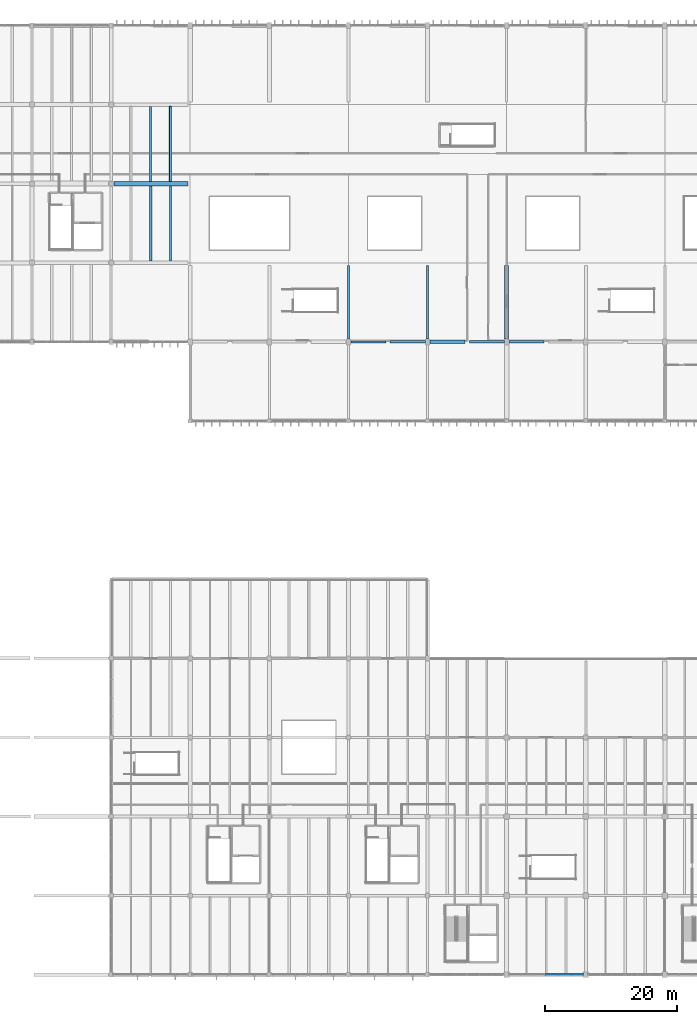
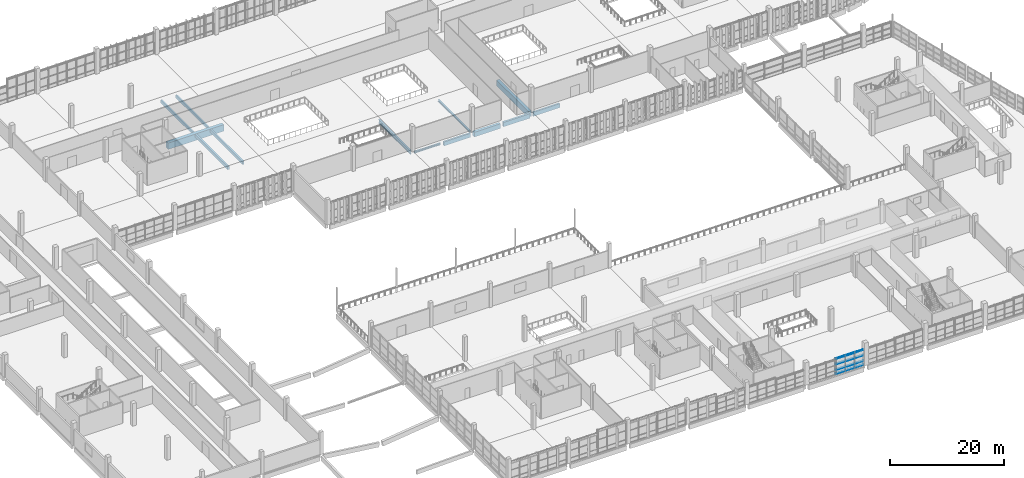
# One storey, part 32 of 112: 13 beams, 4 members, 1 element without a shape of its own.
"""IFC4 building model written with IfcOpenShell, lengths in metres."""

from ifc_helpers import new_model, si_unit, direction, frame, origin, origin_2d, place, context, subcontext, project, spatial, rectangle, i_section, extrude, material, material_profile, profile_set, type_object, element, aggregate, save


model = new_model("IFC4")

# Units and contexts
model_context = context("Model", 3, precision=1e-05, world=origin(), true_north=direction((0.0, 1.0)))
body_context = subcontext(model_context, "Body", "Model", "MODEL_VIEW")
ifc_project = project(units=[si_unit("LENGTHUNIT", "METRE"), si_unit("AREAUNIT", "SQUARE_METRE"), si_unit("VOLUMEUNIT", "CUBIC_METRE"), si_unit("PLANEANGLEUNIT", "RADIAN"), si_unit("MASSUNIT", "GRAM", prefix="KILO")], contexts=[model_context])

# Site, building, storey
site_placement = place(None, origin())
site = spatial("IfcSite", under=ifc_project, at=site_placement, CompositionType="ELEMENT")
building_placement = place(site_placement, origin())
building = spatial("IfcBuilding", under=site, at=building_placement, Name="Kamomehara Wholesale Market", CompositionType="ELEMENT")
storey_placement = place(building_placement, frame((0.0, 0.0, 6.60009765625)))
storey = spatial("IfcBuildingStorey", under=building, at=storey_placement, Name="L01", CompositionType="ELEMENT", Elevation=6.60009765625)

# Beams
ifc_material_1 = material(Name="Precast concrete Fc45 (C40/50)", Category="concrete")
ifc_material_profile_1 = material_profile(ifc_material_1, rectangle(XDim=0.60009765625, YDim=1.199951171875, at=origin_2d()), Name="PC-GRD-600x1200")
ifc_profile_set_1 = profile_set([ifc_material_profile_1], Name="Precast concrete Fc45 (C40/50)")
beam_type_1 = type_object("IfcBeamType", Name="BM-PG1200", PredefinedType="T_BEAM", material=ifc_profile_set_1)
beam_1_placement = place(storey_placement, frame((120.0, 108.47509765625, -0.9521484375), z_axis=(0.0, 1.0, 0.0), x_axis=(-1.0, 0.0, 0.0)))
element("IfcBeam", 1, at=beam_1_placement, inside=storey, type_object=beam_type_1, Name="Beam PG-05 L01", PredefinedType="T_BEAM", context=body_context, shape_type="SweptSolid", body=[
    extrude(rectangle(XDim=0.60009765625, YDim=1.199951171875, at=origin_2d()), origin(), (0.0, 0.0, 1.0), 11.14990234375),
])
ifc_material_2 = material(Name="Precast concrete Fc45 (C40/50)", Category="concrete")
ifc_material_profile_2 = material_profile(ifc_material_2, rectangle(XDim=0.679931640625, YDim=1.3798828125, at=origin_2d()), Name="PC-GRD-680x1380")
ifc_profile_set_2 = profile_set([ifc_material_profile_2], Name="Precast concrete Fc45 (C40/50)")
beam_type_2 = type_object("IfcBeamType", Name="BM-PG1380", PredefinedType="T_BEAM", material=ifc_profile_set_2)
beam_2_placement = place(storey_placement, frame((60.409912109375, 132.0, -1.0419921875), z_axis=(1.0, 0.0, 0.0), x_axis=(0.0, 1.0, 0.0)))
element("IfcBeam", 2, at=beam_2_placement, inside=storey, type_object=beam_type_2, Name="Beam PG-12 L01", PredefinedType="T_BEAM", context=body_context, shape_type="SweptSolid", body=[
    extrude(rectangle(XDim=0.679931640625, YDim=1.3798828125, at=origin_2d()), origin(), (0.0, 0.0, 1.0), 11.215087890625),
])
ifc_material_3 = material(Name="Precast concrete Fc45 (C40/50)", Category="concrete")
ifc_material_profile_3 = material_profile(ifc_material_3, rectangle(XDim=0.300048828125, YDim=0.550048828125, at=origin_2d()), Name="PC-JST-300x550")
ifc_profile_set_3 = profile_set([ifc_material_profile_3], Name="Precast concrete Fc45 (C40/50)")
beam_type_3 = type_object("IfcBeamType", Name="BM-PJ550", PredefinedType="JOIST", material=ifc_profile_set_3)
beam_3_placement = place(storey_placement, frame((69.0, 132.340087890625, -0.627197265625), z_axis=(0.0, 1.0, 0.0), x_axis=(-1.0, 0.0, 0.0)))
element("IfcBeam", 3, at=beam_3_placement, inside=storey, type_object=beam_type_3, Name="Beam PJ-06 L01", PredefinedType="JOIST", context=body_context, shape_type="SweptSolid", body=[
    extrude(rectangle(XDim=0.300048828125, YDim=0.550048828125, at=origin_2d()), origin(), (0.0, 0.0, 1.0), 11.385009765625),
])
ifc_material_4 = material(Name="Precast concrete Fc45 (C40/50)", Category="concrete")
ifc_material_profile_4 = material_profile(ifc_material_4, rectangle(XDim=0.320068359375, YDim=0.60009765625, at=origin_2d()), Name="PC-JST-320x600")
ifc_profile_set_4 = profile_set([ifc_material_profile_4], Name="Precast concrete Fc45 (C40/50)")
beam_type_4 = type_object("IfcBeamType", Name="BM-PJ600", PredefinedType="JOIST", material=ifc_profile_set_4)
beam_4_placement = place(storey_placement, frame((66.0, 132.340087890625, -0.652099609375), z_axis=(0.0, 1.0, 0.0), x_axis=(-1.0, 0.0, 0.0)))
element("IfcBeam", 4, at=beam_4_placement, inside=storey, type_object=beam_type_4, Name="Beam PJ-05 L01", PredefinedType="JOIST", context=body_context, shape_type="SweptSolid", body=[
    extrude(rectangle(XDim=0.320068359375, YDim=0.60009765625, at=origin_2d()), origin(), (0.0, 0.0, 1.0), 11.385009765625),
])
ifc_material_5 = material(Name="Precast concrete Fc45 (C40/50)", Category="concrete")
ifc_material_profile_5 = material_profile(ifc_material_5, rectangle(XDim=0.35009765625, YDim=0.64990234375, at=origin_2d()), Name="PC-JST-350x650")
ifc_profile_set_5 = profile_set([ifc_material_profile_5], Name="Precast concrete Fc45 (C40/50)")
beam_type_5 = type_object("IfcBeamType", Name="BM-PJ650", PredefinedType="JOIST", material=ifc_profile_set_5)
beam_5_placement = place(storey_placement, frame((69.0, 120.260009765625, -0.677001953125), z_axis=(0.0, 1.0, 0.0), x_axis=(-1.0, 0.0, 0.0)))
element("IfcBeam", 5, at=beam_5_placement, inside=storey, type_object=beam_type_5, Name="Beam PJ-04 L01", PredefinedType="JOIST", context=body_context, shape_type="SweptSolid", body=[
    extrude(rectangle(XDim=0.35009765625, YDim=0.64990234375, at=origin_2d()), origin(), (0.0, 0.0, 1.0), 11.39990234375),
])
ifc_material_6 = material(Name="Precast concrete Fc45 (C40/50)", Category="concrete")
ifc_material_profile_6 = material_profile(ifc_material_6, rectangle(XDim=0.340087890625, YDim=0.679931640625, at=origin_2d()), Name="PC-JST-340x680")
ifc_profile_set_6 = profile_set([ifc_material_profile_6], Name="Precast concrete Fc45 (C40/50)")
beam_type_6 = type_object("IfcBeamType", Name="BM-PJ680", PredefinedType="JOIST", material=ifc_profile_set_6)
beam_6_placement = place(storey_placement, frame((66.0, 120.260009765625, -0.692138671875), z_axis=(0.0, 1.0, 0.0), x_axis=(-1.0, 0.0, 0.0)))
element("IfcBeam", 6, at=beam_6_placement, inside=storey, type_object=beam_type_6, Name="Beam PJ-09 L01", PredefinedType="JOIST", context=body_context, shape_type="SweptSolid", body=[
    extrude(rectangle(XDim=0.340087890625, YDim=0.679931640625, at=origin_2d()), origin(), (0.0, 0.0, 1.0), 11.39990234375),
])
ifc_material_7 = material(Name="Concrete Fc36 (C35/45)", Category="concrete")
ifc_material_profile_7 = material_profile(ifc_material_7, rectangle(XDim=0.550048828125, YDim=1.0, at=origin_2d()), Name="RC-SEB-550x1000")
ifc_profile_set_7 = profile_set([ifc_material_profile_7], Name="Concrete Fc36 (C35/45)")
beam_type_7 = type_object("IfcBeamType", Name="BM-SEB1000-EXT", PredefinedType="SPANDREL", material=ifc_profile_set_7)
beam_7_placement = place(storey_placement, frame((108.35009765625, 108.0, -0.85205078125), z_axis=(1.0, 0.0, 0.0), x_axis=(0.0, 1.0, 0.0)))
element("IfcBeam", 7, at=beam_7_placement, inside=storey, type_object=beam_type_7, Name="Beam SEB-03E L01", PredefinedType="SPANDREL", context=body_context, shape_type="SweptSolid", body=[
    extrude(rectangle(XDim=0.550048828125, YDim=1.0, at=origin_2d()), origin(), (0.0, 0.0, 1.0), 5.324951171875),
])
ifc_material_8 = material(Name="Precast concrete Fc45 (C40/50)", Category="concrete")
ifc_material_profile_8 = material_profile(ifc_material_8, rectangle(XDim=0.35009765625, YDim=0.85009765625, at=origin_2d()), Name="PC-SPN-350x850")
ifc_profile_set_8 = profile_set([ifc_material_profile_8], Name="Precast concrete Fc45 (C40/50)")
beam_type_8 = type_object("IfcBeamType", Name="BM-SPN850-EXT", PredefinedType="SPANDREL", material=ifc_profile_set_8)
for number, where, z_axis, x_axis, name in (
    (8, (102.324951171875, 108.0, -0.777099609375), (1.0, 0.0, 0.0), (0.0, 1.0, 0.0), "Beam SPN-02E L01"),
    (9, (120.35009765625, 108.0, -0.76708984375), (1.0, 0.0, 0.0), (0.0, 1.0, 0.0), "Beam SPN-02E L01"),
):
    element("IfcBeam", number, at=place(storey_placement, frame(where, z_axis=z_axis, x_axis=x_axis)), inside=storey, type_object=beam_type_8, Name=name, PredefinedType="SPANDREL", context=body_context, shape_type="SweptSolid", body=[
        extrude(rectangle(XDim=0.35009765625, YDim=0.85009765625, at=origin_2d()), origin(), (0.0, 0.0, 1.0), 5.324951171875),
    ])
ifc_material_9 = material(Name="Precast concrete Fc45 (C40/50)", Category="concrete")
ifc_material_profile_9 = material_profile(ifc_material_9, rectangle(XDim=0.39990234375, YDim=0.949951171875, at=origin_2d()), Name="PC-SPN-400x950")
ifc_profile_set_9 = profile_set([ifc_material_profile_9], Name="Precast concrete Fc45 (C40/50)")
beam_type_9 = type_object("IfcBeamType", Name="BM-SPN950-EXT", PredefinedType="SPANDREL", material=ifc_profile_set_9)
beam_8_placement = place(storey_placement, frame((114.324951171875, 108.0, -0.8271484375), z_axis=(1.0, 0.0, 0.0), x_axis=(0.0, 1.0, 0.0)))
element("IfcBeam", 10, at=beam_8_placement, inside=storey, type_object=beam_type_9, Name="Beam SPN-01E L01", PredefinedType="SPANDREL", context=body_context, shape_type="SweptSolid", body=[
    extrude(rectangle(XDim=0.39990234375, YDim=0.949951171875, at=origin_2d()), origin(), (0.0, 0.0, 1.0), 5.324951171875),
])
ifc_material_10 = material(Name="Steel SN490B", Category="steel")
ifc_material_profile_10 = material_profile(ifc_material_10, i_section(OverallWidth=0.300048828125, OverallDepth=0.389892578125, WebThickness=0.010009765625, FlangeThickness=0.01611328125, FilletRadius=0.01806640625, at=origin_2d()), Name="H-390x300x10x16")
ifc_profile_set_10 = profile_set([ifc_material_profile_10], Name="Steel SN490B")
beam_type_10 = type_object("IfcBeamType", Name="BM-ST-H390-EXT", PredefinedType="SPANDREL", material=ifc_profile_set_10)
beam_9_placement = place(storey_placement, frame((96.35009765625, 108.0, -0.547119140625), z_axis=(1.0, 0.0, 0.0), x_axis=(0.0, 1.0, 0.0)))
element("IfcBeam", 11, at=beam_9_placement, inside=storey, type_object=beam_type_10, Name="Beam SJ-03E L01", PredefinedType="SPANDREL", context=body_context, shape_type="SweptSolid", body=[
    extrude(i_section(OverallWidth=0.300048828125, OverallDepth=0.389892578125, WebThickness=0.010009765625, FlangeThickness=0.01611328125, FilletRadius=0.01806640625, at=origin_2d()), origin(), (0.0, 0.0, 1.0), 5.324951171875),
])
beam_10_placement = place(storey_placement, frame((108.0, 108.47509765625, -0.547119140625), z_axis=(0.0, 1.0, 0.0), x_axis=(-1.0, 0.0, 0.0)))
element("IfcBeam", 12, at=beam_10_placement, inside=storey, type_object=beam_type_10, Name="Beam SJ-03E L01", PredefinedType="SPANDREL", context=body_context, shape_type="SweptSolid", body=[
    extrude(i_section(OverallWidth=0.300048828125, OverallDepth=0.389892578125, WebThickness=0.010009765625, FlangeThickness=0.01611328125, FilletRadius=0.01806640625, at=origin_2d()), origin(), (0.0, 0.0, 1.0), 11.14990234375),
])
ifc_material_11 = material(Name="Steel SN490B", Category="steel")
ifc_material_profile_11 = material_profile(ifc_material_11, i_section(OverallWidth=0.300048828125, OverallDepth=0.7919921875, WebThickness=0.013916015625, FlangeThickness=0.02197265625, FilletRadius=0.02392578125, at=origin_2d()), Name="H-792x300x14x22")
ifc_profile_set_11 = profile_set([ifc_material_profile_11], Name="Steel SN490B")
beam_type_11 = type_object("IfcBeamType", Name="BM-ST-H792", PredefinedType="BEAM", material=ifc_profile_set_11)
beam_11_placement = place(storey_placement, frame((96.0, 108.47509765625, -0.748046875), z_axis=(0.0, 1.0, 0.0), x_axis=(-1.0, 0.0, 0.0)))
element("IfcBeam", 13, at=beam_11_placement, inside=storey, type_object=beam_type_11, Name="Beam SG-09 L01", PredefinedType="BEAM", context=body_context, shape_type="SweptSolid", body=[
    extrude(i_section(OverallWidth=0.300048828125, OverallDepth=0.7919921875, WebThickness=0.013916015625, FlangeThickness=0.02197265625, FilletRadius=0.02392578125, at=origin_2d()), origin(), (0.0, 0.0, 1.0), 11.14990234375),
])

# Curtain wall, members
ifc_material_12 = material(Name="Anodised aluminium 6063-T5", Category="aluminium")
curtain_wall_type = type_object("IfcCurtainWallType", Name="CW-UN-01", PredefinedType="NOTDEFINED", material=ifc_material_12)
curtain_wall_placement = place(storey_placement, origin())
curtain_wall = element("IfcCurtainWall", 14, at=curtain_wall_placement, inside=storey, type_object=curtain_wall_type, Name="Unitised curtain wall CW-135", PredefinedType="NOTDEFINED")
ifc_material_13 = material(Name="Anodised aluminium 6063-T5", Category="aluminium")
ifc_material_profile_12 = material_profile(ifc_material_13, rectangle(XDim=0.074951171875, YDim=0.14990234375, at=origin_2d()), Name="ALU-TRN-75x150")
ifc_profile_set_12 = profile_set([ifc_material_profile_12], Name="Anodised aluminium 6063-T5")
member_type = type_object("IfcMemberType", Name="CW-TRN-150", PredefinedType="USERDEFINED", material=ifc_profile_set_12)
member_1_placement = place(storey_placement, frame((131.590087890625, 12.0, 0.039794921875), z_axis=(-1.0, 0.0, 0.0), x_axis=(0.0, -1.0, 0.0)))
member_1 = element("IfcMember", 15, at=member_1_placement, type_object=member_type, Name="Transom CW-135.0", ObjectType="TRANSOM", PredefinedType="USERDEFINED", context=body_context, shape_type="SweptSolid", body=[
    extrude(rectangle(XDim=0.074951171875, YDim=0.14990234375, at=origin_2d()), origin(), (0.0, 0.0, 1.0), 5.590087890625),
])
member_2_placement = place(storey_placement, frame((131.590087890625, 12.0, 0.849853515625), z_axis=(-1.0, 0.0, 0.0), x_axis=(0.0, -1.0, 0.0)))
member_2 = element("IfcMember", 16, at=member_2_placement, type_object=member_type, Name="Transom CW-135.1", ObjectType="TRANSOM", PredefinedType="USERDEFINED", context=body_context, shape_type="SweptSolid", body=[
    extrude(rectangle(XDim=0.074951171875, YDim=0.14990234375, at=origin_2d()), origin(), (0.0, 0.0, 1.0), 5.590087890625),
])
member_3_placement = place(storey_placement, frame((131.590087890625, 12.0, 2.058837890625), z_axis=(-1.0, 0.0, 0.0), x_axis=(0.0, -1.0, 0.0)))
member_3 = element("IfcMember", 17, at=member_3_placement, type_object=member_type, Name="Transom CW-135.2", ObjectType="TRANSOM", PredefinedType="USERDEFINED", context=body_context, shape_type="SweptSolid", body=[
    extrude(rectangle(XDim=0.074951171875, YDim=0.14990234375, at=origin_2d()), origin(), (0.0, 0.0, 1.0), 5.590087890625),
])
member_4_placement = place(storey_placement, frame((131.590087890625, 12.0, 3.227783203125), z_axis=(-1.0, 0.0, 0.0), x_axis=(0.0, -1.0, 0.0)))
member_4 = element("IfcMember", 18, at=member_4_placement, type_object=member_type, Name="Transom CW-135.3", ObjectType="TRANSOM", PredefinedType="USERDEFINED", context=body_context, shape_type="SweptSolid", body=[
    extrude(rectangle(XDim=0.074951171875, YDim=0.14990234375, at=origin_2d()), origin(), (0.0, 0.0, 1.0), 5.590087890625),
])
aggregate(curtain_wall, [member_1, member_2, member_3, member_4])

save(model, "model.ifc")
